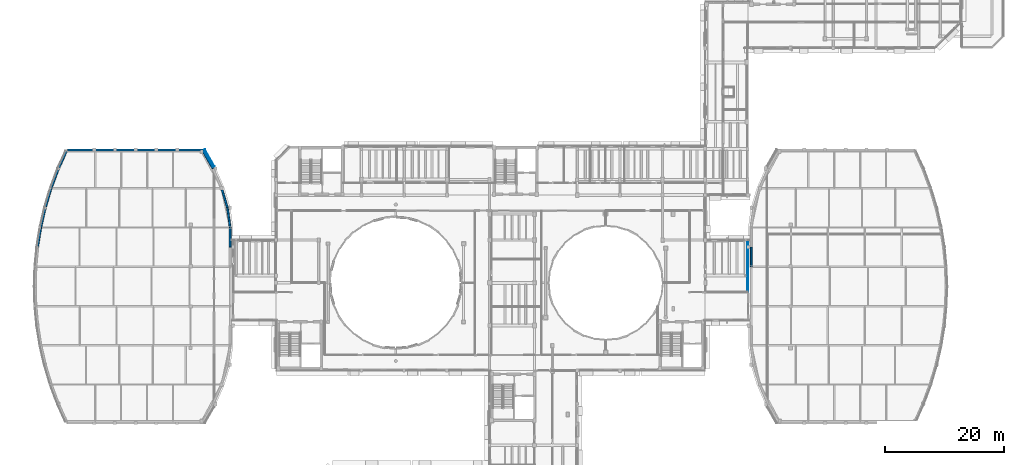
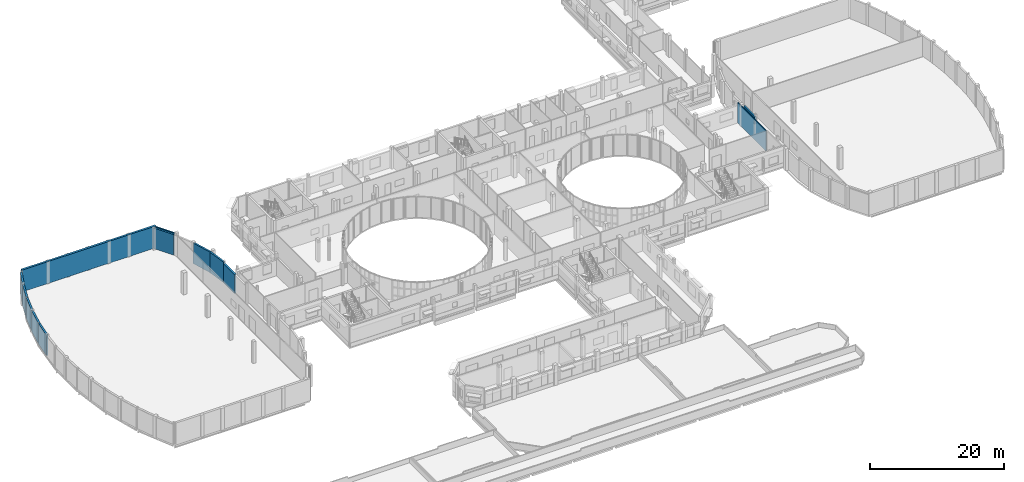
# One storey, part 81 of 105: 13 walls.
"""IFC4 building model written with IfcOpenShell, lengths in metres."""

from ifc_helpers import new_model, si_unit, direction, frame, frame_2d, origin, place, context, subcontext, project, spatial, rectangle, extrude, material, layer, layer_set, type_object, element, save


model = new_model("IFC4")

# Units and contexts
model_context = context("Model", 3, precision=1e-05, world=origin(), true_north=direction((0.0, 1.0)))
body_context = subcontext(model_context, "Body", "Model", "MODEL_VIEW")
ifc_project = project(units=[si_unit("LENGTHUNIT", "METRE"), si_unit("AREAUNIT", "SQUARE_METRE"), si_unit("VOLUMEUNIT", "CUBIC_METRE"), si_unit("PLANEANGLEUNIT", "RADIAN"), si_unit("MASSUNIT", "GRAM", prefix="KILO")], contexts=[model_context])

# Site, building, storey
site_placement = place(None, origin())
site = spatial("IfcSite", under=ifc_project, at=site_placement, CompositionType="ELEMENT")
building_placement = place(site_placement, origin())
building = spatial("IfcBuilding", under=site, at=building_placement, Name="Kelanivale Promenade Academy", CompositionType="ELEMENT")
storey_placement = place(building_placement, frame((0.0, 0.0, 4.199951171875)))
storey = spatial("IfcBuildingStorey", under=building, at=storey_placement, Name="L01", CompositionType="ELEMENT", Elevation=4.199951171875)

# Walls
ifc_material_1 = material(Name="Concrete C40/50", Category="concrete")
ifc_layer_1 = layer(ifc_material_1, 0.360107421875)
ifc_layer_set_1 = layer_set([ifc_layer_1], Name="Concrete C40/50")
wall_type_1 = type_object("IfcWallType", Name="ESW-01 Wall 360mm", PredefinedType="SHEAR", material=ifc_layer_set_1)
wall_1_placement = place(storey_placement, frame((31.14990234375, 79.219970703125, 0.0), z_axis=(0.0, 0.0, 1.0), x_axis=(-1.0, 0.0, 0.0)))
element("IfcWall", 1, at=wall_1_placement, inside=storey, type_object=wall_type_1, Name="Sports Hall Crescent Pavilion gable wall L01", PredefinedType="SHEAR", context=body_context, shape_type="SweptSolid", body=[
    extrude(rectangle(XDim=23.137939453125, YDim=0.360107421875, at=frame_2d((11.56884765625, 0.0))), origin(), (0.0, 0.0, 1.0), 4.0),
])
ifc_material_2 = material(Name="Insulated terracotta-clad masonry wall 300 mm", Category="masonry")
ifc_layer_2 = layer(ifc_material_2, 0.300048828125)
ifc_layer_set_2 = layer_set([ifc_layer_2], Name="Insulated terracotta-clad masonry wall 300 mm")
wall_type_2 = type_object("IfcWallType", Name="EW-01 Wall 300mm", PredefinedType="SOLIDWALL", material=ifc_layer_set_2)
wall_2_placement = place(storey_placement, frame((3.509033203125, 66.14306640625, 0.0), z_axis=(0.0, 0.0, 1.0), x_axis=(-0.159349054769, -0.987222304623, 0.0)))
element("IfcWall", 2, at=wall_2_placement, inside=storey, type_object=wall_type_2, Name="Sports Hall Crescent Pavilion curved terracotta wall L01", PredefinedType="SOLIDWALL", context=body_context, shape_type="SweptSolid", body=[
    extrude(rectangle(XDim=3.35693359375, YDim=0.300048828125, at=frame_2d((1.678466796875, 0.0))), origin(), (0.0, 0.0, 1.0), 3.7451171875),
])
wall_3_placement = place(storey_placement, frame((4.26806640625, 69.45703125, 0.0), z_axis=(0.0, 0.0, 1.0), x_axis=(-0.223259599234, -0.974759022195, 0.0)))
element("IfcWall", 3, at=wall_3_placement, inside=storey, type_object=wall_type_2, Name="Sports Hall Crescent Pavilion curved terracotta wall L01", PredefinedType="SOLIDWALL", context=body_context, shape_type="SweptSolid", body=[
    extrude(rectangle(XDim=3.399658203125, YDim=0.300048828125, at=frame_2d((1.69970703125, 0.0))), origin(), (0.0, 0.0, 1.0), 3.7451171875),
])
wall_4_placement = place(storey_placement, frame((5.260986328125, 72.77099609375, 0.0), z_axis=(0.0, 0.0, 1.0), x_axis=(-0.287011200065, -0.957927226379, 0.0)))
element("IfcWall", 4, at=wall_4_placement, inside=storey, type_object=wall_type_2, Name="Sports Hall Crescent Pavilion curved terracotta wall L01", PredefinedType="SOLIDWALL", context=body_context, shape_type="SweptSolid", body=[
    extrude(rectangle(XDim=3.45947265625, YDim=0.300048828125, at=frame_2d((1.729736328125, 0.0))), origin(), (0.0, 0.0, 1.0), 3.7451171875),
])
wall_5_placement = place(storey_placement, frame((6.5029296875, 76.0859375, 0.0), z_axis=(0.0, 0.0, 1.0), x_axis=(-0.350836219137, -0.936436835746, 0.0)))
element("IfcWall", 5, at=wall_5_placement, inside=storey, type_object=wall_type_2, Name="Sports Hall Crescent Pavilion curved terracotta wall L01", PredefinedType="SOLIDWALL", context=body_context, shape_type="SweptSolid", body=[
    extrude(rectangle(XDim=3.5400390625, YDim=0.300048828125, at=frame_2d((1.77001953125, 0.0))), origin(), (0.0, 0.0, 1.0), 3.7451171875),
])
wall_6_placement = place(storey_placement, frame((7.845947265625, 79.035888671875, 0.0), z_axis=(0.0, 0.0, 1.0), x_axis=(-0.414347666712, -0.910118679673, 0.0)))
element("IfcWall", 6, at=wall_6_placement, inside=storey, type_object=wall_type_2, Name="Sports Hall Crescent Pavilion curved terracotta wall L01", PredefinedType="SOLIDWALL", context=body_context, shape_type="SweptSolid", body=[
    extrude(rectangle(XDim=3.2412109375, YDim=0.300048828125, at=frame_2d((1.62060546875, 0.0))), origin(), (0.0, 0.0, 1.0), 3.7451171875),
])
wall_7_placement = place(storey_placement, frame((35.449951171875, 62.8291015625, 0.0), z_axis=(0.0, 0.0, 1.0), x_axis=(0.0, 1.0, 0.0)))
element("IfcWall", 7, at=wall_7_placement, inside=storey, type_object=wall_type_2, Name="Sports Hall Crescent Pavilion inner crescent wall L01", PredefinedType="SOLIDWALL", context=body_context, shape_type="SweptSolid", body=[
    extrude(rectangle(XDim=3.31396484375, YDim=0.300048828125, at=frame_2d((1.656982421875, 0.0))), origin(), (0.0, 0.0, 1.0), 3.47998046875),
])
wall_8_placement = place(storey_placement, frame((35.449951171875, 66.14306640625, 0.0), z_axis=(0.0, 0.0, 1.0), x_axis=(-0.134539839792, 0.990908185206, 0.0)))
element("IfcWall", 8, at=wall_8_placement, inside=storey, type_object=wall_type_2, Name="Sports Hall Crescent Pavilion inner crescent wall L01", PredefinedType="SOLIDWALL", context=body_context, shape_type="SweptSolid", body=[
    extrude(rectangle(XDim=3.344482421875, YDim=0.300048828125, at=frame_2d((1.67236328125, 0.0))), origin(), (0.0, 0.0, 1.0), 3.735107421875),
])
wall_9_placement = place(storey_placement, frame((35.0, 69.45703125, 0.0), z_axis=(0.0, 0.0, 1.0), x_axis=(-0.288887509039, 0.957363048755, 0.0)))
element("IfcWall", 9, at=wall_9_placement, inside=storey, type_object=wall_type_2, Name="Sports Hall Crescent Pavilion inner crescent wall L01", PredefinedType="SOLIDWALL", context=body_context, shape_type="SweptSolid", body=[
    extrude(rectangle(XDim=3.461669921875, YDim=0.300048828125, at=frame_2d((1.73095703125, 0.0))), origin(), (0.0, 0.0, 1.0), 3.7451171875),
])
wall_10_placement = place(storey_placement, frame((32.550048828125, 76.0859375, 0.0), z_axis=(0.0, 0.0, 1.0), x_axis=(-0.497345429475, 0.867552605771, 0.0)))
element("IfcWall", 10, at=wall_10_placement, inside=storey, type_object=wall_type_2, Name="Sports Hall Crescent Pavilion inner crescent wall L01", PredefinedType="SOLIDWALL", context=body_context, shape_type="SweptSolid", body=[
    extrude(rectangle(XDim=3.419921875, YDim=0.300048828125, at=frame_2d((1.7099609375, 0.0))), origin(), (0.0, 0.0, 1.0), 3.780029296875),
])
wall_11_placement = place(storey_placement, frame((123.35009765625, 62.8291015625, 0.0), z_axis=(0.0, 0.0, 1.0), x_axis=(0.0, -1.0, 0.0)))
element("IfcWall", 11, at=wall_11_placement, inside=storey, type_object=wall_type_2, Name="Assembly Hall Arc Pavilion inner crescent wall L01", PredefinedType="SOLIDWALL", context=body_context, shape_type="SweptSolid", body=[
    extrude(rectangle(XDim=3.315185546875, YDim=0.300048828125, at=frame_2d((1.65771484375, 0.0))), origin(), (0.0, 0.0, 1.0), 3.47998046875),
])
ifc_material_3 = material(Name="Acoustic double-stud gypsum board partition 140 mm", Category="masonry")
ifc_layer_3 = layer(ifc_material_3, 0.139892578125)
ifc_layer_set_3 = layer_set([ifc_layer_3], Name="Acoustic double-stud gypsum board partition 140 mm")
wall_type_3 = type_object("IfcWallType", Name="IW-04 Wall 140mm", PredefinedType="PARTITIONING", material=ifc_layer_set_3)
wall_12_placement = place(storey_placement, frame((32.77001953125, 76.43408203125, 0.0), z_axis=(0.0, 0.0, 1.0), x_axis=(-0.497590895777, 0.867411840154, 0.0)))
element("IfcWall", 12, at=wall_12_placement, inside=storey, type_object=wall_type_3, Name="L01 partition Multi-Purpose Sports Hall", PredefinedType="PARTITIONING", context=body_context, shape_type="SweptSolid", body=[
    extrude(rectangle(XDim=3.2578125, YDim=0.139892578125, at=frame_2d((1.62890625, 0.0))), origin(), (0.0, 0.0, 1.0), 3.780029296875),
])
wall_13_placement = place(storey_placement, frame((122.77001953125, 55.298095703125, 0.0), z_axis=(0.0, 0.0, 1.0), x_axis=(0.0, 1.0, 0.0)))
element("IfcWall", 13, at=wall_13_placement, inside=storey, type_object=wall_type_3, Name="L01 partition Backstage Green Studio", PredefinedType="PARTITIONING", context=body_context, shape_type="SweptSolid", body=[
    extrude(rectangle(XDim=8.423828125, YDim=0.139892578125, at=frame_2d((4.2119140625, 0.0))), origin(), (0.0, 0.0, 1.0), 3.760009765625),
])

save(model, "model.ifc")
